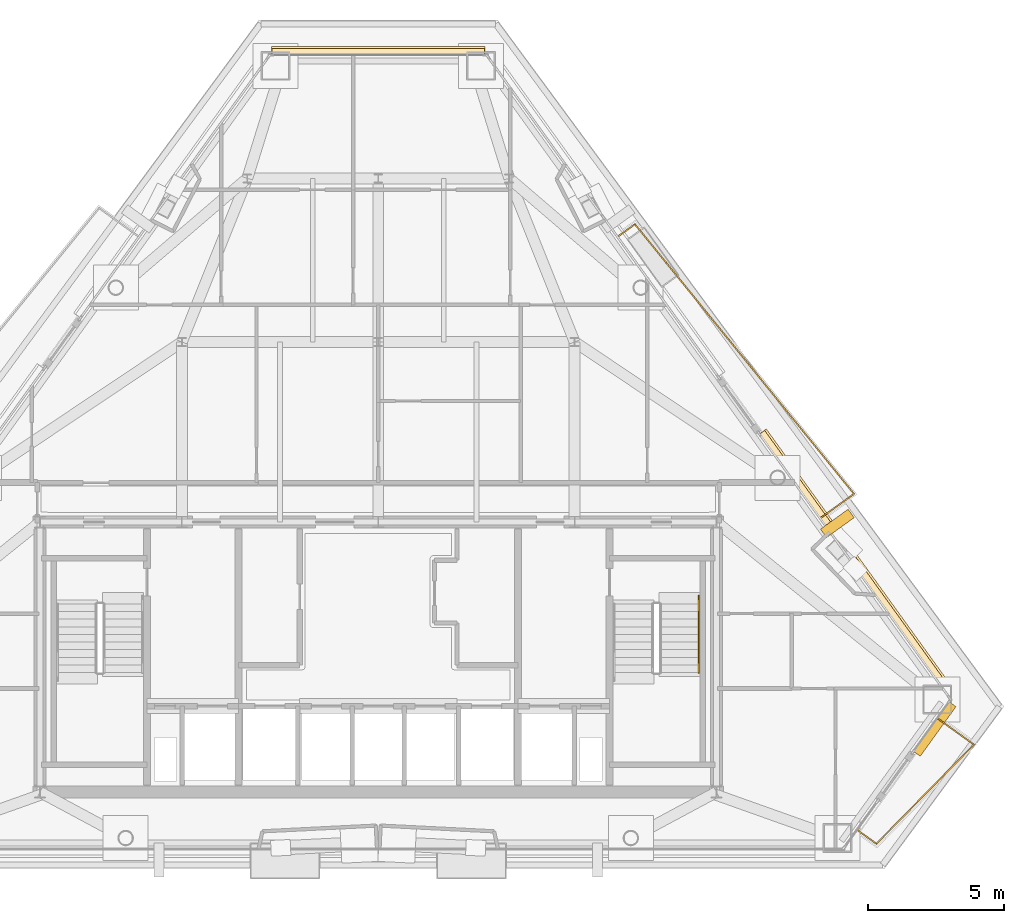
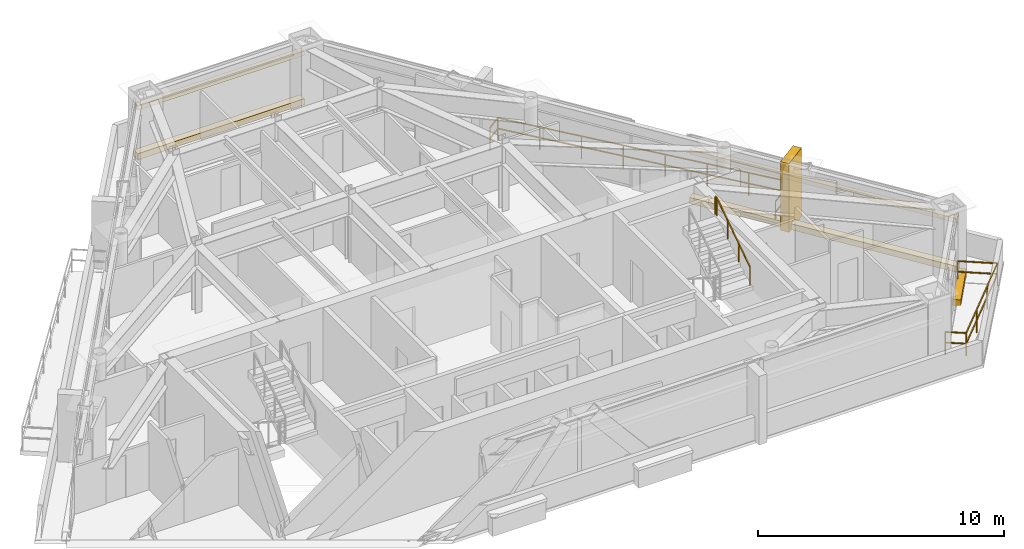
# One storey, part 11 of 11: 6 coverings, 3 railings.
"""IFC4 building model written with IfcOpenShell, lengths in metres."""

from ifc_helpers import new_model, si_unit, direction, frame, origin, origin_2d, place, context, subcontext, project, spatial, rectangle, extrude, material, layer, layer_set, type_object, element, save


model = new_model("IFC4")

# Units and contexts
model_context = context("Model", 3, precision=1e-05, world=origin(), true_north=direction((0.0, 1.0)))
body_context = subcontext(model_context, "Body", "Model", "MODEL_VIEW")
ifc_project = project(units=[si_unit("LENGTHUNIT", "METRE"), si_unit("AREAUNIT", "SQUARE_METRE"), si_unit("VOLUMEUNIT", "CUBIC_METRE"), si_unit("PLANEANGLEUNIT", "RADIAN"), si_unit("MASSUNIT", "GRAM", prefix="KILO")], contexts=[model_context])

# Site, building, storey
site_placement = place(None, origin())
site = spatial("IfcSite", under=ifc_project, at=site_placement, CompositionType="ELEMENT")
building_placement = place(site_placement, origin())
building = spatial("IfcBuilding", under=site, at=building_placement, Name="Talgorran Terracotta Tower", CompositionType="ELEMENT")
storey_placement = place(building_placement, frame((0.0, 0.0, 185.699951171875)))
storey = spatial("IfcBuildingStorey", under=building, at=storey_placement, Name="L48", CompositionType="ELEMENT", Elevation=185.699951171875)

# Coverings
ifc_material_1 = material(Name="Kiln-Fired Terracotta Ochre Ceramic", Category="masonry")
ifc_layer_1 = layer(ifc_material_1, 0.179931640625, Name="COV_BAGUETTE_TERRACOTTA_SCREEN")
ifc_layer_set_1 = layer_set([ifc_layer_1], Name="Kiln-Fired Terracotta Ochre Ceramic")
covering_type_1 = type_object("IfcCoveringType", Name="COV_BAGUETTE_TERRACOTTA_SCREEN", PredefinedType="CLADDING", material=ifc_layer_set_1)
covering_1_placement = place(storey_placement, frame((17.532470703125, -5.739501953125, 2.41015625), z_axis=(0.0, 0.0, 1.0), x_axis=(-0.584405465888, 0.811461799125, 0.0)))
element("IfcCovering", 1, at=covering_1_placement, inside=storey, type_object=covering_type_1, Name="L48 Terracotta Baguette Solar Screen Assembly F40", PredefinedType="CLADDING", context=body_context, shape_type="SweptSolid", body=[
    extrude(rectangle(XDim=11.878662109375, YDim=0.260009765625, at=origin_2d()), origin(), (0.0, 0.0, 1.0), 0.219970703125),
])
covering_2_placement = place(storey_placement, frame((0.0, 13.02001953125, 2.41015625), z_axis=(0.0, 0.0, 1.0), x_axis=(-1.0, 0.0, 0.0)))
element("IfcCovering", 2, at=covering_2_placement, inside=storey, type_object=covering_type_1, Name="L48 Terracotta Baguette Solar Screen Assembly F4", PredefinedType="CLADDING", context=body_context, shape_type="SweptSolid", body=[
    extrude(rectangle(XDim=7.801513671875, YDim=0.260009765625, at=origin_2d()), origin(), (0.0, 0.0, 1.0), 0.219970703125),
])
ifc_material_2 = material(Name="Honed Limestone Cladding", Category="masonry")
ifc_layer_2 = layer(ifc_material_2, 0.094970703125, Name="COV_PORTAL_LIME")
ifc_layer_set_2 = layer_set([ifc_layer_2], Name="Honed Limestone Cladding")
covering_type_2 = type_object("IfcCoveringType", Name="COV_PORTAL_LIME", PredefinedType="CLADDING", material=ifc_layer_set_2)
covering_3_placement = place(storey_placement, frame((20.38720703125, -11.778564453125, -0.0400390625), z_axis=(0.0, 0.0, 1.0), x_axis=(0.584419628479, 0.811451599202, 0.0)))
element("IfcCovering", 3, at=covering_3_placement, inside=storey, type_object=covering_type_2, Name="L48 Striped Postmodern Portal Cladding Band F31", PredefinedType="CLADDING", context=body_context, shape_type="SweptSolid", body=[
    extrude(rectangle(XDim=2.239990234375, YDim=0.340087890625, at=origin_2d()), origin(), (0.0, 0.0, 1.0), 0.300048828125),
])
covering_4_placement = place(storey_placement, frame((17.56494140625, -5.716064453125, -0.0400390625), z_axis=(0.0, 0.0, 1.0), x_axis=(-0.584405465888, 0.811461799125, 0.0)))
element("IfcCovering", 4, at=covering_4_placement, inside=storey, type_object=covering_type_2, Name="L48 Striped Postmodern Portal Cladding Band F40", PredefinedType="CLADDING", context=body_context, shape_type="SweptSolid", body=[
    extrude(rectangle(XDim=11.898681640625, YDim=0.340087890625, at=origin_2d()), origin(), (0.0, 0.0, 1.0), 0.300048828125),
])
covering_5_placement = place(storey_placement, frame((0.0, 13.06005859375, -0.0400390625), z_axis=(0.0, 0.0, 1.0), x_axis=(-1.0, 0.0, 0.0)))
element("IfcCovering", 5, at=covering_5_placement, inside=storey, type_object=covering_type_2, Name="L48 Striped Postmodern Portal Cladding Band F4", PredefinedType="CLADDING", context=body_context, shape_type="SweptSolid", body=[
    extrude(rectangle(XDim=7.8212890625, YDim=0.340087890625, at=origin_2d()), origin(), (0.0, 0.0, 1.0), 0.300048828125),
])
ifc_material_3 = material(Name="Kiln-Fired Terracotta Cladding", Category="masonry")
ifc_layer_3 = layer(ifc_material_3, 0.090087890625, Name="COV_PORTAL_TERRA")
ifc_layer_set_3 = layer_set([ifc_layer_3], Name="Kiln-Fired Terracotta Cladding")
covering_type_3 = type_object("IfcCoveringType", Name="COV_PORTAL_TERRA", PredefinedType="CLADDING", material=ifc_layer_set_3)
covering_6_placement = place(storey_placement, frame((16.82958984375, -4.250244140625, -0.0498046875), z_axis=(0.0, 0.0, 1.0), x_axis=(-0.584405465888, 0.811461799125, 0.0)))
element("IfcCovering", 6, at=covering_6_placement, inside=storey, type_object=covering_type_3, Name="L48 Terracotta Striped Portal Fin F3-1", PredefinedType="CLADDING", context=body_context, shape_type="SweptSolid", body=[
    extrude(rectangle(XDim=0.3798828125, YDim=1.25, at=origin_2d()), origin(), (0.0, 0.0, 1.0), 3.39990234375),
])

# Railings
ifc_material_4 = material(Name="Laminated Glass and Stainless Steel 316", Category="steel")
railing_type_1 = type_object("IfcRailingType", Name="RL_BALCONY_1150", PredefinedType="BALUSTRADE", material=ifc_material_4)
railing_1_placement = place(storey_placement, frame((16.218017578125, -4.05126953125, 0.0)))
element("IfcRailing", 7, at=railing_1_placement, inside=storey, type_object=railing_type_1, Name="RL-L48-BAL-BAL-NE", PredefinedType="BALUSTRADE", context=body_context, shape_type="SweptSolid", body=[
    extrude(rectangle(XDim=0.048095703125, YDim=0.048095703125, at=origin_2d()), frame((0.0, 0.0, 1.1259765625), z_axis=(0.811420799797, 0.584462390284, 0.0), x_axis=(-0.584462390284, 0.811420799797, 0.0)), (0.0, 0.0, 1.0), 1.50927734375),
    extrude(rectangle(XDim=0.048095703125, YDim=0.048095703125, at=origin_2d()), frame((0.0, 0.0, 0.597900390625), z_axis=(0.811420799797, 0.584462390284, 0.0), x_axis=(-0.584462390284, 0.811420799797, 0.0)), (0.0, 0.0, 1.0), 1.50927734375),
    extrude(rectangle(XDim=0.048095703125, YDim=0.048095703125, at=origin_2d()), frame((1.224609375, 0.882080078125, 1.1259765625), z_axis=(-0.630597676023, 0.77610989621, 0.0), x_axis=(-0.77610989621, -0.630597676023, 0.0)), (0.0, 0.0, 1.0), 12.73779296875),
    extrude(rectangle(XDim=0.048095703125, YDim=0.048095703125, at=origin_2d()), frame((1.224609375, 0.882080078125, 0.597900390625), z_axis=(-0.630597676023, 0.77610989621, 0.0), x_axis=(-0.77610989621, -0.630597676023, 0.0)), (0.0, 0.0, 1.0), 12.73779296875),
    extrude(rectangle(XDim=0.048095703125, YDim=0.048095703125, at=origin_2d()), frame((-6.807861328125, 10.76806640625, 1.1259765625), z_axis=(-0.811365590165, -0.584539031286, 0.0), x_axis=(0.584539031286, -0.811365590165, 0.0)), (0.0, 0.0, 1.0), 0.7685546875),
    extrude(rectangle(XDim=0.048095703125, YDim=0.048095703125, at=origin_2d()), frame((-6.807861328125, 10.76806640625, 0.597900390625), z_axis=(-0.811365590165, -0.584539031286, 0.0), x_axis=(0.584539031286, -0.811365590165, 0.0)), (0.0, 0.0, 1.0), 0.7685546875),
    extrude(rectangle(XDim=0.0419921875, YDim=0.0419921875, at=origin_2d()), origin(), (0.0, 0.0, 1.0), 1.101806640625),
    extrude(rectangle(XDim=0.0419921875, YDim=0.0419921875, at=origin_2d()), frame((1.224609375, 0.882080078125, 0.0)), (0.0, 0.0, 1.0), 1.101806640625),
    extrude(rectangle(XDim=0.0419921875, YDim=0.0419921875, at=origin_2d()), frame((0.0771484375, 2.29443359375, 0.0)), (0.0, 0.0, 1.0), 1.101806640625),
    extrude(rectangle(XDim=0.0419921875, YDim=0.0419921875, at=origin_2d()), frame((-1.0703125, 3.70654296875, 0.0)), (0.0, 0.0, 1.0), 1.101806640625),
    extrude(rectangle(XDim=0.0419921875, YDim=0.0419921875, at=origin_2d()), frame((-2.2177734375, 5.118896484375, 0.0)), (0.0, 0.0, 1.0), 1.101806640625),
    extrude(rectangle(XDim=0.0419921875, YDim=0.0419921875, at=origin_2d()), frame((-3.365478515625, 6.53125, 0.0)), (0.0, 0.0, 1.0), 1.101806640625),
    extrude(rectangle(XDim=0.0419921875, YDim=0.0419921875, at=origin_2d()), frame((-4.512939453125, 7.943603515625, 0.0)), (0.0, 0.0, 1.0), 1.101806640625),
    extrude(rectangle(XDim=0.0419921875, YDim=0.0419921875, at=origin_2d()), frame((-5.660400390625, 9.355712890625, 0.0)), (0.0, 0.0, 1.0), 1.101806640625),
    extrude(rectangle(XDim=0.0419921875, YDim=0.0419921875, at=origin_2d()), frame((-6.807861328125, 10.76806640625, 0.0)), (0.0, 0.0, 1.0), 1.101806640625),
    extrude(rectangle(XDim=0.0419921875, YDim=0.0419921875, at=origin_2d()), frame((-7.431396484375, 10.31884765625, 0.0)), (0.0, 0.0, 1.0), 1.101806640625),
])
railing_2_placement = place(storey_placement, frame((17.564697265625, -15.492431640625, 0.0)))
element("IfcRailing", 8, at=railing_2_placement, inside=storey, type_object=railing_type_1, Name="RL-L48-BAL-BAL-SE", PredefinedType="BALUSTRADE", context=body_context, shape_type="SweptSolid", body=[
    extrude(rectangle(XDim=0.048095703125, YDim=0.048095703125, at=origin_2d()), frame((0.0, 0.0, 1.1259765625), z_axis=(0.811389078014, -0.584506427748, 0.0), x_axis=(0.584506427748, 0.811389078014, 0.0)), (0.0, 0.0, 1.0), 0.86083984375),
    extrude(rectangle(XDim=0.048095703125, YDim=0.048095703125, at=origin_2d()), frame((0.0, 0.0, 0.597900390625), z_axis=(0.811389078014, -0.584506427748, 0.0), x_axis=(0.584506427748, 0.811389078014, 0.0)), (0.0, 0.0, 1.0), 0.86083984375),
    extrude(rectangle(XDim=0.048095703125, YDim=0.048095703125, at=origin_2d()), frame((0.698486328125, -0.503173828125, 1.1259765625), z_axis=(0.700516043619, 0.71363665309, 0.0), x_axis=(-0.71363665309, 0.700516043619, 0.0)), (0.0, 0.0, 1.0), 5.098388671875),
    extrude(rectangle(XDim=0.048095703125, YDim=0.048095703125, at=origin_2d()), frame((0.698486328125, -0.503173828125, 0.597900390625), z_axis=(0.700516043619, 0.71363665309, 0.0), x_axis=(-0.71363665309, 0.700516043619, 0.0)), (0.0, 0.0, 1.0), 5.098388671875),
    extrude(rectangle(XDim=0.048095703125, YDim=0.048095703125, at=origin_2d()), frame((4.27001953125, 3.13525390625, 1.1259765625), z_axis=(-0.811443563234, 0.584430786052, 0.0), x_axis=(-0.584430786052, -0.811443563234, 0.0)), (0.0, 0.0, 1.0), 1.632568359375),
    extrude(rectangle(XDim=0.048095703125, YDim=0.048095703125, at=origin_2d()), frame((4.27001953125, 3.13525390625, 0.597900390625), z_axis=(-0.811443563234, 0.584430786052, 0.0), x_axis=(-0.584430786052, -0.811443563234, 0.0)), (0.0, 0.0, 1.0), 1.632568359375),
    extrude(rectangle(XDim=0.0419921875, YDim=0.0419921875, at=origin_2d()), origin(), (0.0, 0.0, 1.0), 1.101806640625),
    extrude(rectangle(XDim=0.0419921875, YDim=0.0419921875, at=origin_2d()), frame((0.698486328125, -0.503173828125, 0.0)), (0.0, 0.0, 1.0), 1.101806640625),
    extrude(rectangle(XDim=0.0419921875, YDim=0.0419921875, at=origin_2d()), frame((1.888916015625, 0.709716796875, 0.0)), (0.0, 0.0, 1.0), 1.101806640625),
    extrude(rectangle(XDim=0.0419921875, YDim=0.0419921875, at=origin_2d()), frame((3.07958984375, 1.92236328125, 0.0)), (0.0, 0.0, 1.0), 1.101806640625),
    extrude(rectangle(XDim=0.0419921875, YDim=0.0419921875, at=origin_2d()), frame((4.27001953125, 3.13525390625, 0.0)), (0.0, 0.0, 1.0), 1.101806640625),
    extrude(rectangle(XDim=0.0419921875, YDim=0.0419921875, at=origin_2d()), frame((2.9453125, 4.08935546875, 0.0)), (0.0, 0.0, 1.0), 1.101806640625),
])
ifc_material_5 = material(Name="Steel S355 (300PLUS)", Category="steel")
railing_type_2 = type_object("IfcRailingType", Name="RL_HANDRAIL_920", PredefinedType="HANDRAIL", material=ifc_material_5)
railing_3_placement = place(storey_placement, frame((11.75, -9.719970703125, 1.97998046875)))
element("IfcRailing", 9, at=railing_3_placement, inside=storey, type_object=railing_type_2, Name="L48 ST-02 stair handrail 2", PredefinedType="HANDRAIL", context=body_context, shape_type="SweptSolid", body=[
    extrude(rectangle(XDim=0.048095703125, YDim=0.048095703125, at=origin_2d()), frame((0.0, 0.0, 0.89599609375), z_axis=(0.0, 0.832038719335, 0.554717558338), x_axis=(-1.0, 0.0, 0.0)), (0.0, 0.0, 1.0), 3.244873046875),
    extrude(rectangle(XDim=0.048095703125, YDim=0.048095703125, at=origin_2d()), frame((0.0, 2.699951171875, 2.69580078125), z_axis=(0.0, 1.0, 0.0), x_axis=(-1.0, 0.0, 0.0)), (0.0, 0.0, 1.0), 0.1201171875),
    extrude(rectangle(XDim=0.0419921875, YDim=0.0419921875, at=origin_2d()), origin(), (0.0, 0.0, 1.0), 0.871826171875),
    extrude(rectangle(XDim=0.0419921875, YDim=0.0419921875, at=origin_2d()), frame((0.0, 0.89990234375, 0.60009765625)), (0.0, 0.0, 1.0), 0.871826171875),
    extrude(rectangle(XDim=0.0419921875, YDim=0.0419921875, at=origin_2d()), frame((0.0, 1.800048828125, 1.199951171875)), (0.0, 0.0, 1.0), 0.871826171875),
    extrude(rectangle(XDim=0.0419921875, YDim=0.0419921875, at=origin_2d()), frame((0.0, 2.699951171875, 1.800048828125)), (0.0, 0.0, 1.0), 0.871826171875),
    extrude(rectangle(XDim=0.0419921875, YDim=0.0419921875, at=origin_2d()), frame((0.0, 2.820068359375, 1.800048828125)), (0.0, 0.0, 1.0), 0.871826171875),
])

save(model, "model.ifc")
